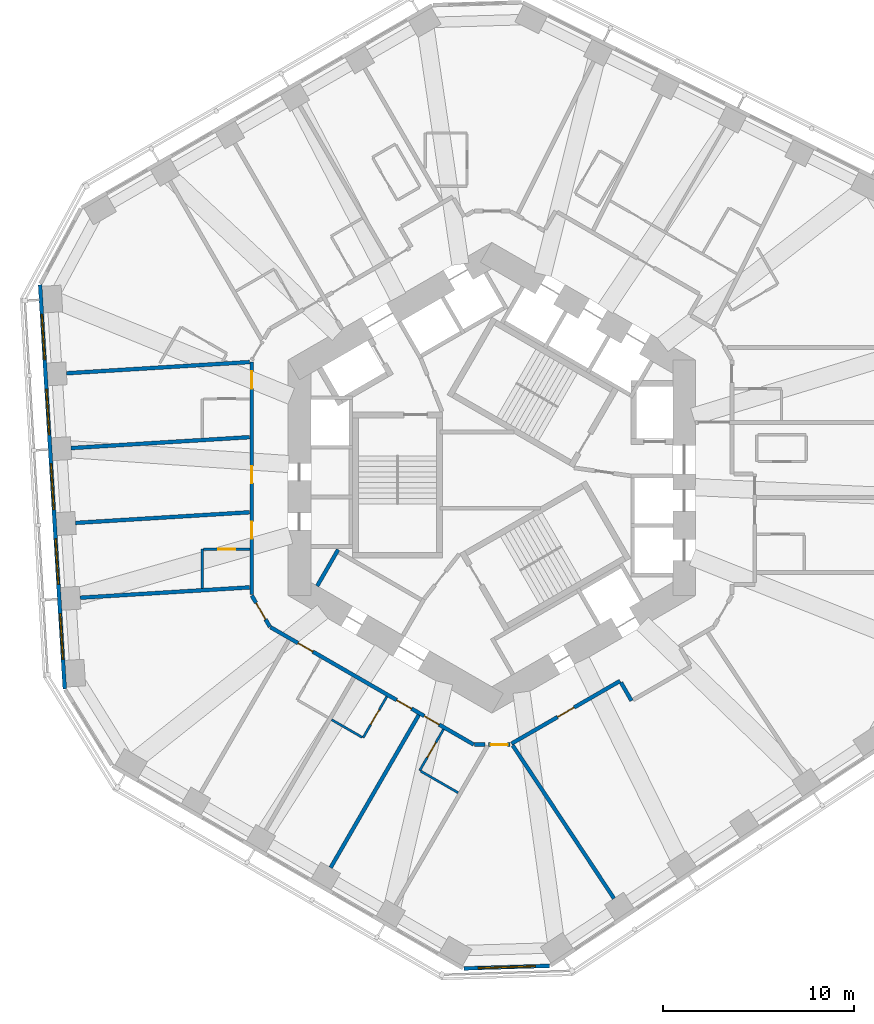
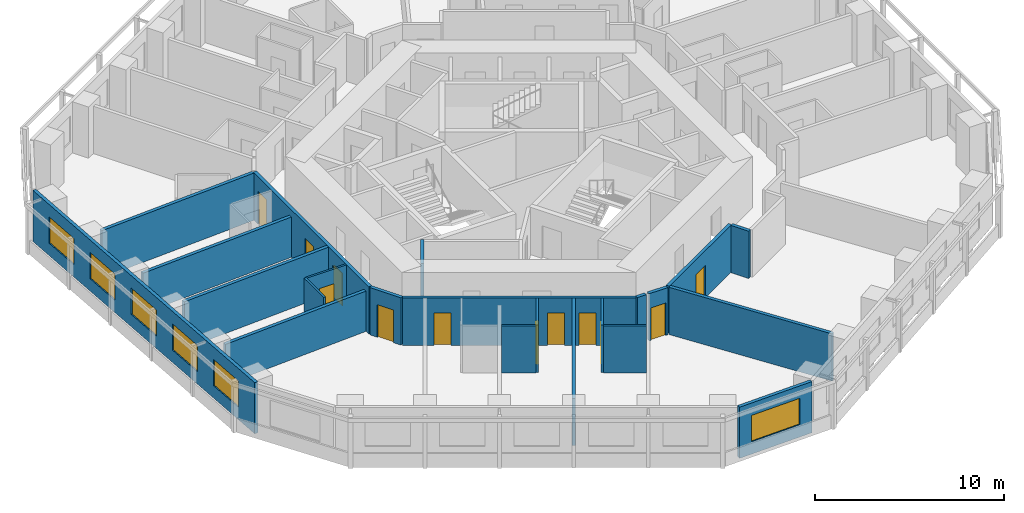
# One storey, part 4 of 12: 22 walls, 12 doors, 6 windows, 18 openings.
"""IFC4 building model written with IfcOpenShell, lengths in metres."""

from ifc_helpers import new_model, si_unit, direction, frame, frame_2d, origin, place, context, subcontext, project, spatial, rectangle, extrude, material, layer, layer_set, type_object, element, fill, save


model = new_model("IFC4")

# Units and contexts
model_context = context("Model", 3, precision=1e-05, world=origin(), true_north=direction((0.0, 1.0)))
body_context = subcontext(model_context, "Body", "Model", "MODEL_VIEW")
ifc_project = project(units=[si_unit("LENGTHUNIT", "METRE"), si_unit("AREAUNIT", "SQUARE_METRE"), si_unit("VOLUMEUNIT", "CUBIC_METRE"), si_unit("PLANEANGLEUNIT", "RADIAN"), si_unit("MASSUNIT", "GRAM", prefix="KILO")], contexts=[model_context])

# Site, building, storey
site_placement = place(None, origin())
site = spatial("IfcSite", under=ifc_project, at=site_placement, CompositionType="ELEMENT")
building_placement = place(site_placement, origin())
building = spatial("IfcBuilding", under=site, at=building_placement, Name="Vanh Sen Convention Tower", CompositionType="ELEMENT")
storey_placement = place(building_placement, frame((0.0, 0.0, 90.199951171875)))
storey = spatial("IfcBuildingStorey", under=building, at=storey_placement, Name="L20", CompositionType="ELEMENT", Elevation=90.199951171875)

# Wall
ifc_material_1 = material(Name="Moisture-resistant gypsum board on steel studs", Category="steel")
ifc_layer_1 = layer(ifc_material_1, 0.1201171875)
ifc_layer_set_1 = layer_set([ifc_layer_1], Name="Moisture-resistant gypsum board on steel studs")
wall_type_1 = type_object("IfcWallType", Name="Bathroom partition 120", PredefinedType="PARTITIONING", material=ifc_layer_set_1)
wall_1_placement = place(storey_placement, frame((-15.199951171875, -5.8037109375, 0.0), z_axis=(0.0, 0.0, 1.0), x_axis=(0.0, 1.0, 0.0)))
element("IfcWall", 1, at=wall_1_placement, inside=storey, type_object=wall_type_1, Name="Bathroom partition 120", PredefinedType="PARTITIONING", context=body_context, shape_type="SweptSolid", body=[
    extrude(rectangle(XDim=2.059326171875, YDim=0.1201171875, at=frame_2d((1.02978515625, 0.0))), origin(), (0.0, 0.0, 1.0), 3.050048828125),
])

# Wall, opening, door
wall_2_placement = place(storey_placement, frame((-15.139892578125, -3.744384765625, 0.0), z_axis=(0.0, 0.0, 1.0), x_axis=(1.0, 0.0, 0.0)))
wall_2 = element("IfcWall", 2, at=wall_2_placement, inside=storey, type_object=wall_type_1, Name="Bathroom partition 120", PredefinedType="PARTITIONING", context=body_context, shape_type="SweptSolid", body=[
    extrude(rectangle(XDim=2.43994140625, YDim=0.1201171875, at=frame_2d((1.219970703125, 0.0))), origin(), (0.0, 0.0, 1.0), 3.050048828125),
])
opening_1_placement = place(wall_2_placement, frame((0.77001953125, 0.0, 0.0)))
opening_1 = element("IfcOpeningElement", 3, at=opening_1_placement, cuts=wall_2, Name="Opening D19129", PredefinedType="OPENING", context=body_context, shape_type="SweptSolid", body=[
    extrude(rectangle(XDim=0.89990234375, YDim=2.10009765625, at=frame_2d((0.449951171875, 1.050048828125))), frame((0.0, 0.070068359375, 0.0), z_axis=(0.0, -1.0, 0.0), x_axis=(1.0, 0.0, 0.0)), (0.0, 0.0, 1.0), 0.14013671875),
])
ifc_material_2 = material(Name="Laminate door in steel frame", Category="steel")
door_type_1 = type_object("IfcDoorType", Name="En-suite door 900", OperationType="SINGLE_SWING_LEFT", PredefinedType="DOOR", material=ifc_material_2)
door_1_placement = place(opening_1_placement, origin())
door_1 = element("IfcDoor", 4, at=door_1_placement, inside=storey, type_object=door_type_1, Name="En-suite door D19129", OperationType="SINGLE_SWING_LEFT", OverallHeight=2.10009765625, OverallWidth=0.89990234375, PredefinedType="DOOR", context=body_context, shape_type="SweptSolid", body=[
    extrude(rectangle(XDim=0.89990234375, YDim=2.10009765625, at=frame_2d((0.449951171875, 1.050048828125))), frame((0.0, 0.02490234375, 0.0), z_axis=(0.0, -1.0, 0.0), x_axis=(1.0, 0.0, 0.0)), (0.0, 0.0, 1.0), 0.050048828125),
])
fill(opening_1, door_1)

# Wall
wall_3_placement = place(storey_placement, frame((-6.81201171875, -13.618408203125, 0.0), z_axis=(0.0, 0.0, 1.0), x_axis=(-0.866046386007, 0.499963655964, 0.0)))
element("IfcWall", 5, at=wall_3_placement, inside=storey, type_object=wall_type_1, Name="Bathroom partition 120", PredefinedType="PARTITIONING", context=body_context, shape_type="SweptSolid", body=[
    extrude(rectangle(XDim=1.840087890625, YDim=0.1201171875, at=frame_2d((0.919921875, 0.0))), origin(), (0.0, 0.0, 1.0), 3.050048828125),
])

# Wall, opening, door
wall_4_placement = place(storey_placement, frame((-5.510009765625, -11.4833984375, 0.0), z_axis=(0.0, 0.0, 1.0), x_axis=(-0.500004234368, -0.866022959057, 0.0)))
wall_4 = element("IfcWall", 6, at=wall_4_placement, inside=storey, type_object=wall_type_1, Name="Bathroom partition 120", PredefinedType="PARTITIONING", context=body_context, shape_type="SweptSolid", body=[
    extrude(rectangle(XDim=2.5, YDim=0.1201171875, at=frame_2d((1.25, 0.0))), origin(), (0.0, 0.0, 1.0), 3.050048828125),
])
opening_2_placement = place(wall_4_placement, frame((0.800048828125, 0.0, 0.0)))
opening_2 = element("IfcOpeningElement", 7, at=opening_2_placement, cuts=wall_4, Name="Opening D19134", PredefinedType="OPENING", context=body_context, shape_type="SweptSolid", body=[
    extrude(rectangle(XDim=0.89990234375, YDim=2.10009765625, at=frame_2d((0.449951171875, 1.050048828125))), frame((0.0, 0.070068359375, 0.0), z_axis=(0.0, -1.0, 0.0), x_axis=(1.0, 0.0, 0.0)), (0.0, 0.0, 1.0), 0.14013671875),
])
door_2_placement = place(opening_2_placement, origin())
door_2 = element("IfcDoor", 8, at=door_2_placement, inside=storey, type_object=door_type_1, Name="En-suite door D19134", OperationType="SINGLE_SWING_LEFT", OverallHeight=2.10009765625, OverallWidth=0.89990234375, PredefinedType="DOOR", context=body_context, shape_type="SweptSolid", body=[
    extrude(rectangle(XDim=0.89990234375, YDim=2.10009765625, at=frame_2d((0.449951171875, 1.050048828125))), frame((0.0, 0.02490234375, 0.0), z_axis=(0.0, -1.0, 0.0), x_axis=(1.0, 0.0, 0.0)), (0.0, 0.0, 1.0), 0.050048828125),
])
fill(opening_2, door_2)

wall_5_placement = place(storey_placement, frame((-3.78564453125, -15.36572265625, 0.0), z_axis=(0.0, 0.0, 1.0), x_axis=(0.500004234368, 0.866022959057, 0.0)))
wall_5 = element("IfcWall", 9, at=wall_5_placement, inside=storey, type_object=wall_type_1, Name="Bathroom partition 120", PredefinedType="PARTITIONING", context=body_context, shape_type="SweptSolid", body=[
    extrude(rectangle(XDim=2.5, YDim=0.1201171875, at=frame_2d((1.25, 0.0))), origin(), (0.0, 0.0, 1.0), 3.050048828125),
])
opening_3_placement = place(wall_5_placement, frame((0.800048828125, 0.0, 0.0)))
opening_3 = element("IfcOpeningElement", 10, at=opening_3_placement, cuts=wall_5, Name="Opening D19136", PredefinedType="OPENING", context=body_context, shape_type="SweptSolid", body=[
    extrude(rectangle(XDim=0.89990234375, YDim=2.10009765625, at=frame_2d((0.449951171875, 1.050048828125))), frame((0.0, 0.070068359375, 0.0), z_axis=(0.0, -1.0, 0.0), x_axis=(1.0, 0.0, 0.0)), (0.0, 0.0, 1.0), 0.14013671875),
])
door_3_placement = place(opening_3_placement, origin())
door_3 = element("IfcDoor", 11, at=door_3_placement, inside=storey, type_object=door_type_1, Name="En-suite door D19136", OperationType="SINGLE_SWING_LEFT", OverallHeight=2.10009765625, OverallWidth=0.89990234375, PredefinedType="DOOR", context=body_context, shape_type="SweptSolid", body=[
    extrude(rectangle(XDim=0.89990234375, YDim=2.10009765625, at=frame_2d((0.449951171875, 1.050048828125))), frame((0.0, 0.02490234375, 0.0), z_axis=(0.0, -1.0, 0.0), x_axis=(1.0, 0.0, 0.0)), (0.0, 0.0, 1.0), 0.050048828125),
])
fill(opening_3, door_3)

# Wall
wall_6_placement = place(storey_placement, frame((-1.763671875, -16.533203125, 0.0), z_axis=(0.0, 0.0, 1.0), x_axis=(-0.866008641419, 0.500029032144, 0.0)))
element("IfcWall", 12, at=wall_6_placement, inside=storey, type_object=wall_type_1, Name="Bathroom partition 120", PredefinedType="PARTITIONING", context=body_context, shape_type="SweptSolid", body=[
    extrude(rectangle(XDim=2.274658203125, YDim=0.1201171875, at=frame_2d((1.13720703125, 0.0))), origin(), (0.0, 0.0, 1.0), 3.050048828125),
])

# Wall, opening, door
ifc_material_3 = material(Name="Gypsum board on steel studs with mineral wool", Category="steel")
ifc_layer_2 = layer(ifc_material_3, 0.199951171875)
ifc_layer_set_2 = layer_set([ifc_layer_2], Name="Gypsum board on steel studs with mineral wool")
wall_type_2 = type_object("IfcWallType", Name="Corridor partition wall 200", PredefinedType="PARTITIONING", material=ifc_layer_set_2)
wall_7_placement = place(storey_placement, frame((-12.60009765625, -6.177490234375, 0.0), z_axis=(0.0, 0.0, 1.0), x_axis=(0.500063520245, -0.865988727248, 0.0)))
wall_7 = element("IfcWall", 13, at=wall_7_placement, inside=storey, type_object=wall_type_2, Name="Corridor partition wall 200", PredefinedType="PARTITIONING", context=body_context, shape_type="SweptSolid", body=[
    extrude(rectangle(XDim=1.900146484375, YDim=0.199951171875, at=frame_2d((0.9501953125, 0.0))), origin(), (0.0, 0.0, 1.0), 3.050048828125),
])
opening_4_placement = place(wall_7_placement, frame((0.449951171875, 0.0, 0.0)))
opening_4 = element("IfcOpeningElement", 14, at=opening_4_placement, cuts=wall_7, Name="Opening D19130", PredefinedType="OPENING", context=body_context, shape_type="SweptSolid", body=[
    extrude(rectangle(XDim=1.0, YDim=2.10009765625, at=frame_2d((0.5, 1.050048828125))), frame((0.0, 0.10986328125, 0.0), z_axis=(0.0, -1.0, 0.0), x_axis=(1.0, 0.0, 0.0)), (0.0, 0.0, 1.0), 0.219970703125),
])
ifc_material_4 = material(Name="Timber fire door in steel frame", Category="steel")
door_type_2 = type_object("IfcDoorType", Name="Floor room door 1000", OperationType="SINGLE_SWING_LEFT", PredefinedType="DOOR", material=ifc_material_4)
door_4_placement = place(opening_4_placement, origin())
door_4 = element("IfcDoor", 15, at=door_4_placement, inside=storey, type_object=door_type_2, Name="Meeting and amenity room door D19130", OperationType="SINGLE_SWING_LEFT", OverallHeight=2.10009765625, OverallWidth=1.0, PredefinedType="DOOR", context=body_context, shape_type="SweptSolid", body=[
    extrude(rectangle(XDim=1.0, YDim=2.10009765625, at=frame_2d((0.5, 1.050048828125))), frame((0.0, 0.02490234375, 0.0), z_axis=(0.0, -1.0, 0.0), x_axis=(1.0, 0.0, 0.0)), (0.0, 0.0, 1.0), 0.050048828125),
])
fill(opening_4, door_4)

# Wall, openings, doors
wall_8_placement = place(storey_placement, frame((-12.60009765625, 6.081298828125, 0.0), z_axis=(0.0, 0.0, 1.0), x_axis=(0.0, -1.0, 0.0)))
wall_8 = element("IfcWall", 16, at=wall_8_placement, inside=storey, type_object=wall_type_2, Name="Corridor partition wall 200", PredefinedType="PARTITIONING", context=body_context, shape_type="SweptSolid", body=[
    extrude(rectangle(XDim=12.218994140625, YDim=0.199951171875, at=frame_2d((6.109375, 0.0))), origin(), (0.0, 0.0, 1.0), 3.050048828125),
])
opening_5_placement = place(wall_8_placement, frame((0.495849609375, 0.0, 0.0)))
opening_5 = element("IfcOpeningElement", 17, at=opening_5_placement, cuts=wall_8, Name="Opening D19125", PredefinedType="OPENING", context=body_context, shape_type="SweptSolid", body=[
    extrude(rectangle(XDim=0.89990234375, YDim=2.10009765625, at=frame_2d((0.449951171875, 1.050048828125))), frame((0.0, 0.10986328125, 0.0), z_axis=(0.0, -1.0, 0.0), x_axis=(1.0, 0.0, 0.0)), (0.0, 0.0, 1.0), 0.219970703125),
])
opening_6_placement = place(wall_8_placement, frame((5.462890625, 0.0, 0.0)))
opening_6 = element("IfcOpeningElement", 18, at=opening_6_placement, cuts=wall_8, Name="Opening D19127", PredefinedType="OPENING", context=body_context, shape_type="SweptSolid", body=[
    extrude(rectangle(XDim=0.89990234375, YDim=2.10009765625, at=frame_2d((0.449951171875, 1.050048828125))), frame((0.0, 0.10986328125, 0.0), z_axis=(0.0, -1.0, 0.0), x_axis=(1.0, 0.0, 0.0)), (0.0, 0.0, 1.0), 0.219970703125),
])
opening_7_placement = place(wall_8_placement, frame((8.3798828125, 0.0, 0.0)))
opening_7 = element("IfcOpeningElement", 19, at=opening_7_placement, cuts=wall_8, Name="Opening D19128", PredefinedType="OPENING", context=body_context, shape_type="SweptSolid", body=[
    extrude(rectangle(XDim=0.89990234375, YDim=2.10009765625, at=frame_2d((0.449951171875, 1.050048828125))), frame((0.0, 0.10986328125, 0.0), z_axis=(0.0, -1.0, 0.0), x_axis=(1.0, 0.0, 0.0)), (0.0, 0.0, 1.0), 0.219970703125),
])
door_type_3 = type_object("IfcDoorType", Name="Floor service door 900", OperationType="SINGLE_SWING_LEFT", PredefinedType="DOOR", material=ifc_material_4)
door_5_placement = place(opening_6_placement, origin())
door_5 = element("IfcDoor", 20, at=door_5_placement, inside=storey, type_object=door_type_3, Name="Service room door D19127", OperationType="SINGLE_SWING_LEFT", OverallHeight=2.10009765625, OverallWidth=0.89990234375, PredefinedType="DOOR", context=body_context, shape_type="SweptSolid", body=[
    extrude(rectangle(XDim=0.89990234375, YDim=2.10009765625, at=frame_2d((0.449951171875, 1.050048828125))), frame((0.0, 0.02490234375, 0.0), z_axis=(0.0, -1.0, 0.0), x_axis=(1.0, 0.0, 0.0)), (0.0, 0.0, 1.0), 0.050048828125),
])
fill(opening_6, door_5)
door_type_4 = type_object("IfcDoorType", Name="Guest room door 900", OperationType="SINGLE_SWING_LEFT", PredefinedType="DOOR", material=ifc_material_4)
door_6_placement = place(opening_5_placement, origin())
door_6 = element("IfcDoor", 21, at=door_6_placement, inside=storey, type_object=door_type_4, Name="Hotel guest room door D19125", OperationType="SINGLE_SWING_LEFT", OverallHeight=2.10009765625, OverallWidth=0.89990234375, PredefinedType="DOOR", context=body_context, shape_type="SweptSolid", body=[
    extrude(rectangle(XDim=0.89990234375, YDim=2.10009765625, at=frame_2d((0.449951171875, 1.050048828125))), frame((0.0, 0.02490234375, 0.0), z_axis=(0.0, -1.0, 0.0), x_axis=(1.0, 0.0, 0.0)), (0.0, 0.0, 1.0), 0.050048828125),
])
fill(opening_5, door_6)
door_7_placement = place(opening_7_placement, origin())
door_7 = element("IfcDoor", 22, at=door_7_placement, inside=storey, type_object=door_type_4, Name="Hotel guest room door D19128", OperationType="SINGLE_SWING_LEFT", OverallHeight=2.10009765625, OverallWidth=0.89990234375, PredefinedType="DOOR", context=body_context, shape_type="SweptSolid", body=[
    extrude(rectangle(XDim=0.89990234375, YDim=2.10009765625, at=frame_2d((0.449951171875, 1.050048828125))), frame((0.0, 0.02490234375, 0.0), z_axis=(0.0, -1.0, 0.0), x_axis=(1.0, 0.0, 0.0)), (0.0, 0.0, 1.0), 0.050048828125),
])
fill(opening_7, door_7)

wall_9_placement = place(storey_placement, frame((-11.615478515625, -7.843017578125, 0.0), z_axis=(0.0, 0.0, 1.0), x_axis=(0.866026466995, -0.499998158461, 0.0)))
wall_9 = element("IfcWall", 23, at=wall_9_placement, inside=storey, type_object=wall_type_2, Name="Corridor partition wall 200", PredefinedType="PARTITIONING", context=body_context, shape_type="SweptSolid", body=[
    extrude(rectangle(XDim=12.3154296875, YDim=0.199951171875, at=frame_2d((6.15771484375, 0.0))), origin(), (0.0, 0.0, 1.0), 3.050048828125),
])
opening_8_placement = place(wall_9_placement, frame((1.665283203125, 0.0, 0.0)))
opening_8 = element("IfcOpeningElement", 24, at=opening_8_placement, cuts=wall_9, Name="Opening D19131", PredefinedType="OPENING", context=body_context, shape_type="SweptSolid", body=[
    extrude(rectangle(XDim=0.89990234375, YDim=2.10009765625, at=frame_2d((0.449951171875, 1.050048828125))), frame((0.0, 0.10986328125, 0.0), z_axis=(0.0, -1.0, 0.0), x_axis=(1.0, 0.0, 0.0)), (0.0, 0.0, 1.0), 0.219970703125),
])
opening_9_placement = place(wall_9_placement, frame((7.64990234375, 0.0, 0.0)))
opening_9 = element("IfcOpeningElement", 25, at=opening_9_placement, cuts=wall_9, Name="Opening D19133", PredefinedType="OPENING", context=body_context, shape_type="SweptSolid", body=[
    extrude(rectangle(XDim=0.89990234375, YDim=2.10009765625, at=frame_2d((0.449951171875, 1.050048828125))), frame((0.0, 0.10986328125, 0.0), z_axis=(0.0, -1.0, 0.0), x_axis=(1.0, 0.0, 0.0)), (0.0, 0.0, 1.0), 0.219970703125),
])
opening_10_placement = place(wall_9_placement, frame((9.317138671875, 0.0, 0.0)))
opening_10 = element("IfcOpeningElement", 26, at=opening_10_placement, cuts=wall_9, Name="Opening D19135", PredefinedType="OPENING", context=body_context, shape_type="SweptSolid", body=[
    extrude(rectangle(XDim=0.89990234375, YDim=2.10009765625, at=frame_2d((0.449951171875, 1.050048828125))), frame((0.0, 0.10986328125, 0.0), z_axis=(0.0, -1.0, 0.0), x_axis=(1.0, 0.0, 0.0)), (0.0, 0.0, 1.0), 0.219970703125),
])
door_8_placement = place(opening_8_placement, origin())
door_8 = element("IfcDoor", 27, at=door_8_placement, inside=storey, type_object=door_type_4, Name="Hotel guest room door D19131", OperationType="SINGLE_SWING_LEFT", OverallHeight=2.10009765625, OverallWidth=0.89990234375, PredefinedType="DOOR", context=body_context, shape_type="SweptSolid", body=[
    extrude(rectangle(XDim=0.89990234375, YDim=2.10009765625, at=frame_2d((0.449951171875, 1.050048828125))), frame((0.0, 0.02490234375, 0.0), z_axis=(0.0, -1.0, 0.0), x_axis=(1.0, 0.0, 0.0)), (0.0, 0.0, 1.0), 0.050048828125),
])
fill(opening_8, door_8)
door_9_placement = place(opening_9_placement, origin())
door_9 = element("IfcDoor", 28, at=door_9_placement, inside=storey, type_object=door_type_4, Name="Hotel guest room door D19133", OperationType="SINGLE_SWING_LEFT", OverallHeight=2.10009765625, OverallWidth=0.89990234375, PredefinedType="DOOR", context=body_context, shape_type="SweptSolid", body=[
    extrude(rectangle(XDim=0.89990234375, YDim=2.10009765625, at=frame_2d((0.449951171875, 1.050048828125))), frame((0.0, 0.02490234375, 0.0), z_axis=(0.0, -1.0, 0.0), x_axis=(1.0, 0.0, 0.0)), (0.0, 0.0, 1.0), 0.050048828125),
])
fill(opening_9, door_9)
door_10_placement = place(opening_10_placement, origin())
door_10 = element("IfcDoor", 29, at=door_10_placement, inside=storey, type_object=door_type_4, Name="Hotel guest room door D19135", OperationType="SINGLE_SWING_LEFT", OverallHeight=2.10009765625, OverallWidth=0.89990234375, PredefinedType="DOOR", context=body_context, shape_type="SweptSolid", body=[
    extrude(rectangle(XDim=0.89990234375, YDim=2.10009765625, at=frame_2d((0.449951171875, 1.050048828125))), frame((0.0, 0.02490234375, 0.0), z_axis=(0.0, -1.0, 0.0), x_axis=(1.0, 0.0, 0.0)), (0.0, 0.0, 1.0), 0.050048828125),
])
fill(opening_10, door_10)

# Wall
wall_10_placement = place(storey_placement, frame((-0.909912109375, -14.000732421875, 0.0), z_axis=(0.0, 0.0, 1.0), x_axis=(1.0, 0.0, 0.0)))
element("IfcWall", 30, at=wall_10_placement, inside=storey, type_object=wall_type_2, Name="Corridor partition wall 200", PredefinedType="PARTITIONING", context=body_context, shape_type="SweptSolid", body=[
    extrude(rectangle(XDim=0.559814453125, YDim=0.199951171875, at=frame_2d((0.27978515625, 0.0))), origin(), (0.0, 0.0, 1.0), 3.050048828125),
])

# Wall, opening, door
wall_11_placement = place(storey_placement, frame((-0.186279296875, -14.000732421875, 0.0), z_axis=(0.0, 0.0, 1.0), x_axis=(1.0, 0.0, 0.0)))
wall_11 = element("IfcWall", 31, at=wall_11_placement, inside=storey, type_object=wall_type_2, Name="Corridor partition wall 200", PredefinedType="PARTITIONING", context=body_context, shape_type="SweptSolid", body=[
    extrude(rectangle(XDim=1.13623046875, YDim=0.199951171875, at=frame_2d((0.568115234375, 0.0))), origin(), (0.0, 0.0, 1.0), 3.050048828125),
])
opening_11_placement = place(wall_11_placement, frame((0.1181640625, 0.0, 0.0)))
opening_11 = element("IfcOpeningElement", 32, at=opening_11_placement, cuts=wall_11, Name="Opening D19137", PredefinedType="OPENING", context=body_context, shape_type="SweptSolid", body=[
    extrude(rectangle(XDim=0.89990234375, YDim=2.10009765625, at=frame_2d((0.449951171875, 1.050048828125))), frame((0.0, 0.10986328125, 0.0), z_axis=(0.0, -1.0, 0.0), x_axis=(1.0, 0.0, 0.0)), (0.0, 0.0, 1.0), 0.219970703125),
])
door_type_5 = type_object("IfcDoorType", Name="Floor room door 900", OperationType="SINGLE_SWING_LEFT", PredefinedType="DOOR", material=ifc_material_4)
door_11_placement = place(opening_11_placement, origin())
door_11 = element("IfcDoor", 33, at=door_11_placement, inside=storey, type_object=door_type_5, Name="Meeting and amenity room door D19137", OperationType="SINGLE_SWING_LEFT", OverallHeight=2.10009765625, OverallWidth=0.89990234375, PredefinedType="DOOR", context=body_context, shape_type="SweptSolid", body=[
    extrude(rectangle(XDim=0.89990234375, YDim=2.10009765625, at=frame_2d((0.449951171875, 1.050048828125))), frame((0.0, 0.02490234375, 0.0), z_axis=(0.0, -1.0, 0.0), x_axis=(1.0, 0.0, 0.0)), (0.0, 0.0, 1.0), 0.050048828125),
])
fill(opening_11, door_11)

wall_12_placement = place(storey_placement, frame((1.033447265625, -13.95263671875, 0.0), z_axis=(0.0, 0.0, 1.0), x_axis=(0.866017531406, 0.500013635111, 0.0)))
wall_12 = element("IfcWall", 34, at=wall_12_placement, inside=storey, type_object=wall_type_2, Name="Corridor partition wall 200", PredefinedType="PARTITIONING", context=body_context, shape_type="SweptSolid", body=[
    extrude(rectangle(XDim=6.580322265625, YDim=0.199951171875, at=frame_2d((3.2900390625, 0.0))), origin(), (0.0, 0.0, 1.0), 3.050048828125),
])
opening_12_placement = place(wall_12_placement, frame((2.7900390625, 0.0, 0.0)))
opening_12 = element("IfcOpeningElement", 35, at=opening_12_placement, cuts=wall_12, Name="Opening D19138", PredefinedType="OPENING", context=body_context, shape_type="SweptSolid", body=[
    extrude(rectangle(XDim=1.0, YDim=2.10009765625, at=frame_2d((0.5, 1.050048828125))), frame((0.0, 0.10986328125, 0.0), z_axis=(0.0, -1.0, 0.0), x_axis=(1.0, 0.0, 0.0)), (0.0, 0.0, 1.0), 0.219970703125),
])
door_12_placement = place(opening_12_placement, origin())
door_12 = element("IfcDoor", 36, at=door_12_placement, inside=storey, type_object=door_type_2, Name="Meeting and amenity room door D19138", OperationType="SINGLE_SWING_LEFT", OverallHeight=2.10009765625, OverallWidth=1.0, PredefinedType="DOOR", context=body_context, shape_type="SweptSolid", body=[
    extrude(rectangle(XDim=1.0, YDim=2.10009765625, at=frame_2d((0.5, 1.050048828125))), frame((0.0, 0.02490234375, 0.0), z_axis=(0.0, -1.0, 0.0), x_axis=(1.0, 0.0, 0.0)), (0.0, 0.0, 1.0), 0.050048828125),
])
fill(opening_12, door_12)

# Wall
wall_13_placement = place(storey_placement, frame((6.781982421875, -10.7490234375, 0.0), z_axis=(0.0, 0.0, 1.0), x_axis=(0.500074377092, -0.865982457891, 0.0)))
element("IfcWall", 37, at=wall_13_placement, inside=storey, type_object=wall_type_2, Name="Corridor partition wall 200", PredefinedType="PARTITIONING", context=body_context, shape_type="SweptSolid", body=[
    extrude(rectangle(XDim=1.100830078125, YDim=0.199951171875, at=frame_2d((0.55029296875, 0.0))), origin(), (0.0, 0.0, 1.0), 3.050048828125),
])

# Wall, openings, windows
ifc_material_5 = material(Name="Insulated lightweight infill wall")
ifc_layer_3 = layer(ifc_material_5, 0.199951171875)
ifc_layer_set_3 = layer_set([ifc_layer_3], Name="Insulated lightweight infill wall")
wall_type_3 = type_object("IfcWallType", Name="External wall 200", PredefinedType="STANDARD", material=ifc_layer_set_3)
wall_14_placement = place(storey_placement, frame((-23.712646484375, 10.130859375, 0.0), z_axis=(0.0, 0.0, 1.0), x_axis=(0.061040439785, -0.998135293791, 0.0)))
wall_14 = element("IfcWall", 38, at=wall_14_placement, inside=storey, type_object=wall_type_3, Name="External wall W L20", PredefinedType="STANDARD", context=body_context, shape_type="SweptSolid", body=[
    extrude(rectangle(XDim=21.24609375, YDim=0.199951171875, at=frame_2d((10.623046875, 0.0))), origin(), (0.0, 0.0, 1.0), 3.300048828125),
])
opening_13_placement = place(wall_14_placement, frame((1.552978515625, 0.0, 0.800048828125)))
opening_13 = element("IfcOpeningElement", 39, at=opening_13_placement, cuts=wall_14, Name="Opening WH1-W1", PredefinedType="OPENING", context=body_context, shape_type="SweptSolid", body=[
    extrude(rectangle(XDim=2.39990234375, YDim=1.699951171875, at=frame_2d((1.199951171875, 0.85009765625))), frame((0.0, 0.10986328125, 0.0), z_axis=(0.0, -1.0, 0.0), x_axis=(1.0, 0.0, 0.0)), (0.0, 0.0, 1.0), 0.219970703125),
])
opening_14_placement = place(wall_14_placement, frame((5.48779296875, 0.0, 0.800048828125)))
opening_14 = element("IfcOpeningElement", 40, at=opening_14_placement, cuts=wall_14, Name="Opening WH1-W2", PredefinedType="OPENING", context=body_context, shape_type="SweptSolid", body=[
    extrude(rectangle(XDim=2.39990234375, YDim=1.699951171875, at=frame_2d((1.199951171875, 0.85009765625))), frame((0.0, 0.10986328125, 0.0), z_axis=(0.0, -1.0, 0.0), x_axis=(1.0, 0.0, 0.0)), (0.0, 0.0, 1.0), 0.219970703125),
])
opening_15_placement = place(wall_14_placement, frame((9.42236328125, 0.0, 0.800048828125)))
opening_15 = element("IfcOpeningElement", 41, at=opening_15_placement, cuts=wall_14, Name="Opening WH1-W3", PredefinedType="OPENING", context=body_context, shape_type="SweptSolid", body=[
    extrude(rectangle(XDim=2.39990234375, YDim=1.699951171875, at=frame_2d((1.199951171875, 0.85009765625))), frame((0.0, 0.10986328125, 0.0), z_axis=(0.0, -1.0, 0.0), x_axis=(1.0, 0.0, 0.0)), (0.0, 0.0, 1.0), 0.219970703125),
])
opening_16_placement = place(wall_14_placement, frame((13.35693359375, 0.0, 0.800048828125)))
opening_16 = element("IfcOpeningElement", 42, at=opening_16_placement, cuts=wall_14, Name="Opening WH1-W4", PredefinedType="OPENING", context=body_context, shape_type="SweptSolid", body=[
    extrude(rectangle(XDim=2.39990234375, YDim=1.699951171875, at=frame_2d((1.199951171875, 0.85009765625))), frame((0.0, 0.10986328125, 0.0), z_axis=(0.0, -1.0, 0.0), x_axis=(1.0, 0.0, 0.0)), (0.0, 0.0, 1.0), 0.219970703125),
])
opening_17_placement = place(wall_14_placement, frame((17.29150390625, 0.0, 0.800048828125)))
opening_17 = element("IfcOpeningElement", 43, at=opening_17_placement, cuts=wall_14, Name="Opening WH1-W5", PredefinedType="OPENING", context=body_context, shape_type="SweptSolid", body=[
    extrude(rectangle(XDim=2.39990234375, YDim=1.699951171875, at=frame_2d((1.199951171875, 0.85009765625))), frame((0.0, 0.10986328125, 0.0), z_axis=(0.0, -1.0, 0.0), x_axis=(1.0, 0.0, 0.0)), (0.0, 0.0, 1.0), 0.219970703125),
])
ifc_material_6 = material(Name="Aluminium frame with clear low-emissivity glass", Category="aluminium")
window_type_1 = type_object("IfcWindowType", Name="Hotel window 2400 x 1700", PartitioningType="SINGLE_PANEL", PredefinedType="WINDOW", material=ifc_material_6)
window_1_placement = place(opening_13_placement, origin())
window_1 = element("IfcWindow", 44, at=window_1_placement, inside=storey, type_object=window_type_1, Name="Window WH1-W1", OverallHeight=1.699951171875, OverallWidth=2.39990234375, PartitioningType="SINGLE_PANEL", PredefinedType="WINDOW", context=body_context, shape_type="SweptSolid", body=[
    extrude(rectangle(XDim=2.39990234375, YDim=1.699951171875, at=frame_2d((1.199951171875, 0.85009765625))), frame((0.0, 0.030029296875, 0.0), z_axis=(0.0, -1.0, 0.0), x_axis=(1.0, 0.0, 0.0)), (0.0, 0.0, 1.0), 0.06005859375),
])
fill(opening_13, window_1)
window_2_placement = place(opening_14_placement, origin())
window_2 = element("IfcWindow", 45, at=window_2_placement, inside=storey, type_object=window_type_1, Name="Window WH1-W2", OverallHeight=1.699951171875, OverallWidth=2.39990234375, PartitioningType="SINGLE_PANEL", PredefinedType="WINDOW", context=body_context, shape_type="SweptSolid", body=[
    extrude(rectangle(XDim=2.39990234375, YDim=1.699951171875, at=frame_2d((1.199951171875, 0.85009765625))), frame((0.0, 0.030029296875, 0.0), z_axis=(0.0, -1.0, 0.0), x_axis=(1.0, 0.0, 0.0)), (0.0, 0.0, 1.0), 0.06005859375),
])
fill(opening_14, window_2)
window_3_placement = place(opening_15_placement, origin())
window_3 = element("IfcWindow", 46, at=window_3_placement, inside=storey, type_object=window_type_1, Name="Window WH1-W3", OverallHeight=1.699951171875, OverallWidth=2.39990234375, PartitioningType="SINGLE_PANEL", PredefinedType="WINDOW", context=body_context, shape_type="SweptSolid", body=[
    extrude(rectangle(XDim=2.39990234375, YDim=1.699951171875, at=frame_2d((1.199951171875, 0.85009765625))), frame((0.0, 0.030029296875, 0.0), z_axis=(0.0, -1.0, 0.0), x_axis=(1.0, 0.0, 0.0)), (0.0, 0.0, 1.0), 0.06005859375),
])
fill(opening_15, window_3)
window_4_placement = place(opening_16_placement, origin())
window_4 = element("IfcWindow", 47, at=window_4_placement, inside=storey, type_object=window_type_1, Name="Window WH1-W4", OverallHeight=1.699951171875, OverallWidth=2.39990234375, PartitioningType="SINGLE_PANEL", PredefinedType="WINDOW", context=body_context, shape_type="SweptSolid", body=[
    extrude(rectangle(XDim=2.39990234375, YDim=1.699951171875, at=frame_2d((1.199951171875, 0.85009765625))), frame((0.0, 0.030029296875, 0.0), z_axis=(0.0, -1.0, 0.0), x_axis=(1.0, 0.0, 0.0)), (0.0, 0.0, 1.0), 0.06005859375),
])
fill(opening_16, window_4)
window_5_placement = place(opening_17_placement, origin())
window_5 = element("IfcWindow", 48, at=window_5_placement, inside=storey, type_object=window_type_1, Name="Window WH1-W5", OverallHeight=1.699951171875, OverallWidth=2.39990234375, PartitioningType="SINGLE_PANEL", PredefinedType="WINDOW", context=body_context, shape_type="SweptSolid", body=[
    extrude(rectangle(XDim=2.39990234375, YDim=1.699951171875, at=frame_2d((1.199951171875, 0.85009765625))), frame((0.0, 0.030029296875, 0.0), z_axis=(0.0, -1.0, 0.0), x_axis=(1.0, 0.0, 0.0)), (0.0, 0.0, 1.0), 0.06005859375),
])
fill(opening_17, window_5)

# Wall, opening, window
wall_15_placement = place(storey_placement, frame((-1.461181640625, -25.7548828125, 0.0), z_axis=(0.0, 0.0, 1.0), x_axis=(0.999533823446, 0.030530898895, 0.0)))
wall_15 = element("IfcWall", 49, at=wall_15_placement, inside=storey, type_object=wall_type_3, Name="External wall CH5 L20", PredefinedType="STANDARD", context=body_context, shape_type="SweptSolid", body=[
    extrude(rectangle(XDim=4.494140625, YDim=0.199951171875, at=frame_2d((2.2470703125, 0.0))), origin(), (0.0, 0.0, 1.0), 3.300048828125),
])
opening_18_placement = place(wall_15_placement, frame((0.7470703125, 0.0, 0.800048828125)))
opening_18 = element("IfcOpeningElement", 50, at=opening_18_placement, cuts=wall_15, Name="Opening WH2-CH51", PredefinedType="OPENING", context=body_context, shape_type="SweptSolid", body=[
    extrude(rectangle(XDim=3.0, YDim=1.699951171875, at=frame_2d((1.5, 0.85009765625))), frame((0.0, 0.10986328125, 0.0), z_axis=(0.0, -1.0, 0.0), x_axis=(1.0, 0.0, 0.0)), (0.0, 0.0, 1.0), 0.219970703125),
])
window_type_2 = type_object("IfcWindowType", Name="Hotel window 3000 x 1700", PartitioningType="SINGLE_PANEL", PredefinedType="WINDOW", material=ifc_material_6)
window_6_placement = place(opening_18_placement, origin())
window_6 = element("IfcWindow", 51, at=window_6_placement, inside=storey, type_object=window_type_2, Name="Window WH2-CH51", OverallHeight=1.699951171875, OverallWidth=3.0, PartitioningType="SINGLE_PANEL", PredefinedType="WINDOW", context=body_context, shape_type="SweptSolid", body=[
    extrude(rectangle(XDim=3.0, YDim=1.699951171875, at=frame_2d((1.5, 0.85009765625))), frame((0.0, 0.030029296875, 0.0), z_axis=(0.0, -1.0, 0.0), x_axis=(1.0, 0.0, 0.0)), (0.0, 0.0, 1.0), 0.06005859375),
])
fill(opening_18, window_6)

# Walls
ifc_layer_4 = layer(ifc_material_3, 0.199951171875)
ifc_layer_set_4 = layer_set([ifc_layer_4], Name="Gypsum board on steel studs with mineral wool")
wall_type_4 = type_object("IfcWallType", Name="Hotel party wall 200", PredefinedType="PARTITIONING", material=ifc_layer_set_4)
wall_16_placement = place(storey_placement, frame((-22.32666015625, 5.486328125, 0.0), z_axis=(0.0, 0.0, 1.0), x_axis=(0.998135194863, 0.061042057435, 0.0)))
element("IfcWall", 52, at=wall_16_placement, inside=storey, type_object=wall_type_4, Name="Hotel party wall 200", PredefinedType="PARTITIONING", context=body_context, shape_type="SweptSolid", body=[
    extrude(rectangle(XDim=9.635009765625, YDim=0.199951171875, at=frame_2d((4.8173828125, 0.0))), origin(), (0.0, 0.0, 1.0), 3.050048828125),
])
wall_17_placement = place(storey_placement, frame((-22.08642578125, 1.55908203125, 0.0), z_axis=(0.0, 0.0, 1.0), x_axis=(0.99813491363, 0.061046655873, 0.0)))
element("IfcWall", 53, at=wall_17_placement, inside=storey, type_object=wall_type_4, Name="Hotel party wall 200", PredefinedType="PARTITIONING", context=body_context, shape_type="SweptSolid", body=[
    extrude(rectangle(XDim=9.394287109375, YDim=0.199951171875, at=frame_2d((4.697265625, 0.0))), origin(), (0.0, 0.0, 1.0), 2.60009765625),
])
wall_18_placement = place(storey_placement, frame((-21.84619140625, -2.3681640625, 0.0), z_axis=(0.0, 0.0, 1.0), x_axis=(0.998134617584, 0.061051496129, 0.0)))
element("IfcWall", 54, at=wall_18_placement, inside=storey, type_object=wall_type_4, Name="Hotel party wall 200", PredefinedType="PARTITIONING", context=body_context, shape_type="SweptSolid", body=[
    extrude(rectangle(XDim=9.153564453125, YDim=0.199951171875, at=frame_2d((4.57666015625, 0.0))), origin(), (0.0, 0.0, 1.0), 3.050048828125),
])
wall_19_placement = place(storey_placement, frame((-21.60595703125, -6.29541015625, 0.0), z_axis=(0.0, 0.0, 1.0), x_axis=(0.998134305525, 0.061056597794, 0.0)))
element("IfcWall", 55, at=wall_19_placement, inside=storey, type_object=wall_type_4, Name="Hotel party wall 200", PredefinedType="PARTITIONING", context=body_context, shape_type="SweptSolid", body=[
    extrude(rectangle(XDim=8.912841796875, YDim=0.199951171875, at=frame_2d((4.45654296875, 0.0))), origin(), (0.0, 0.0, 1.0), 2.60009765625),
])
wall_20_placement = place(storey_placement, frame((-8.459716796875, -20.46142578125, 0.0), z_axis=(0.0, 0.0, 1.0), x_axis=(0.499999662836, 0.866025598446, 0.0)))
element("IfcWall", 56, at=wall_20_placement, inside=storey, type_object=wall_type_4, Name="Hotel party wall 200", PredefinedType="PARTITIONING", context=body_context, shape_type="SweptSolid", body=[
    extrude(rectangle(XDim=9.25, YDim=0.199951171875, at=frame_2d((4.625, 0.0))), origin(), (0.0, 0.0, 1.0), 3.050048828125),
])
wall_21_placement = place(storey_placement, frame((6.411865234375, -22.07861328125, 0.0), z_axis=(0.0, 0.0, 1.0), x_axis=(-0.551919507115, 0.83389739037, 0.0)))
element("IfcWall", 57, at=wall_21_placement, inside=storey, type_object=wall_type_4, Name="Hotel party wall 200", PredefinedType="PARTITIONING", context=body_context, shape_type="SweptSolid", body=[
    extrude(rectangle(XDim=9.634765625, YDim=0.199951171875, at=frame_2d((4.8173828125, 0.0))), origin(), (0.0, 0.0, 1.0), 3.050048828125),
])
ifc_material_7 = material(Name="Concrete C40/50", Category="concrete")
ifc_layer_5 = layer(ifc_material_7, 0.199951171875)
ifc_layer_set_5 = layer_set([ifc_layer_5], Name="Concrete C40/50")
wall_type_5 = type_object("IfcWallType", Name="Lift shaft wall 200", PredefinedType="PARTITIONING", material=ifc_layer_set_5)
wall_22_placement = place(storey_placement, frame((-8.066650390625, -3.77197265625, 0.0), z_axis=(0.0, 0.0, 1.0), x_axis=(-0.50002983664, -0.866008176907, 0.0)))
element("IfcWall", 58, at=wall_22_placement, inside=storey, type_object=wall_type_5, Name="Lift shaft wall L20", PredefinedType="PARTITIONING", context=body_context, shape_type="SweptSolid", body=[
    extrude(rectangle(XDim=2.199951171875, YDim=0.199951171875, at=frame_2d((1.10009765625, 0.0))), origin(), (0.0, 0.0, 1.0), 3.050048828125),
])

save(model, "model.ifc")
